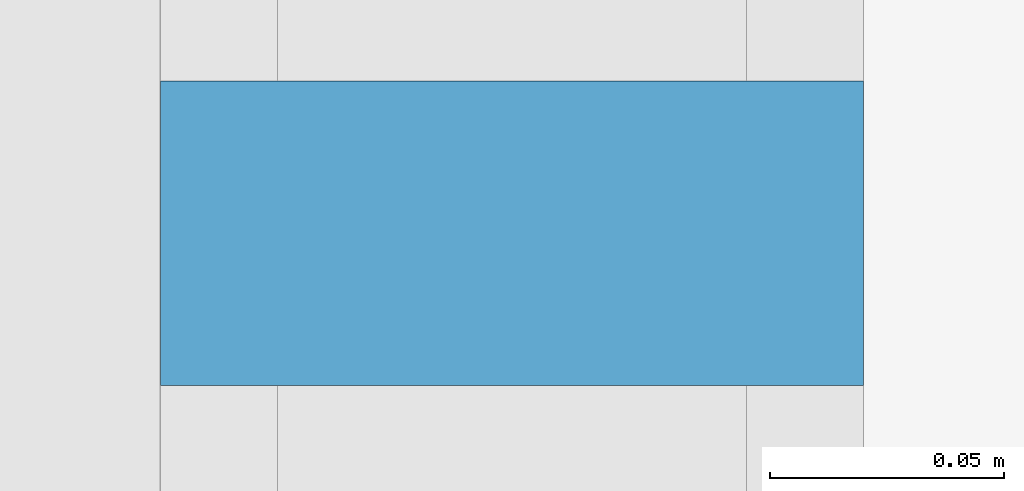
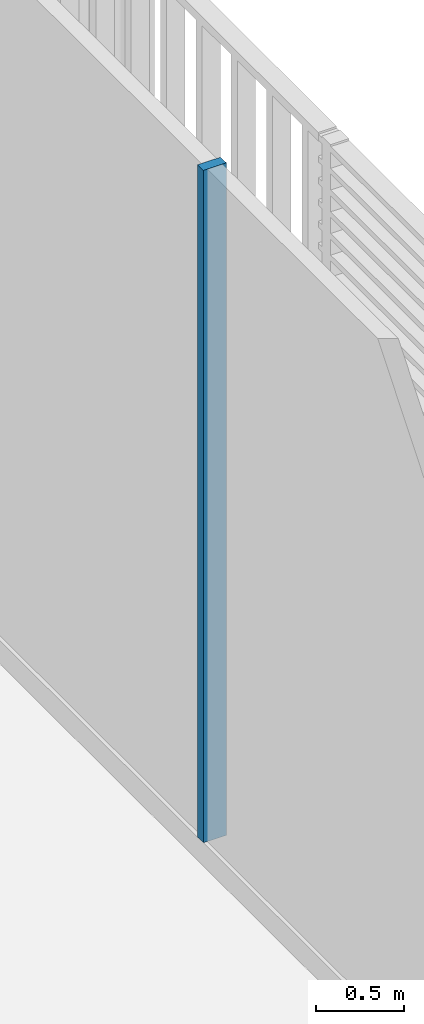
# One storey, part 11 of 22: 1 member, 1 element without a shape of its own.
"""IFC4 building model written with IfcOpenShell, lengths in metres."""

from ifc_helpers import new_model, si_unit, direction, frame, origin, origin_2d, place, context, subcontext, project, spatial, rectangle, extrude, material, layer, layer_set, material_profile, profile_set, type_object, element, aggregate, save


model = new_model("IFC4")

# Units and contexts
model_context = context("Model", 3, precision=1e-05, world=origin(), true_north=direction((0.0, 1.0)))
body_context = subcontext(model_context, "Body", "Model", "MODEL_VIEW")
ifc_project = project(units=[si_unit("LENGTHUNIT", "METRE"), si_unit("AREAUNIT", "SQUARE_METRE"), si_unit("VOLUMEUNIT", "CUBIC_METRE"), si_unit("PLANEANGLEUNIT", "RADIAN"), si_unit("MASSUNIT", "GRAM", prefix="KILO")], contexts=[model_context])

# Site, building, storey
site_placement = place(None, origin())
site = spatial("IfcSite", under=ifc_project, at=site_placement, CompositionType="ELEMENT")
building_placement = place(site_placement, origin())
building = spatial("IfcBuilding", under=site, at=building_placement, Name="Millrace Tower", CompositionType="ELEMENT")
storey_placement = place(building_placement, frame((0.0, 0.0, 20.89990234375)))
storey = spatial("IfcBuildingStorey", under=building, at=storey_placement, Name="L05", CompositionType="ELEMENT", Elevation=20.89990234375)

# Curtain wall, member
ifc_material_1 = material(Name="Aluminium and glass", Category="aluminium")
ifc_layer = layer(ifc_material_1, 0.14990234375)
ifc_layer_set = layer_set([ifc_layer], Name="Aluminium and glass")
curtain_wall_type = type_object("IfcCurtainWallType", Name="CW-2 data hall insulated curtain wall", PredefinedType="NOTDEFINED", material=ifc_layer_set)
curtain_wall_placement = place(storey_placement, origin())
curtain_wall = element("IfcCurtainWall", 1, at=curtain_wall_placement, inside=storey, type_object=curtain_wall_type, Name="Curtain wall A-F04 L05", PredefinedType="NOTDEFINED")
ifc_material_2 = material(Name="Aluminium", Category="aluminium")
ifc_material_profile = material_profile(ifc_material_2, rectangle(XDim=0.06494140625, YDim=0.14990234375, at=origin_2d()))
ifc_profile_set = profile_set([ifc_material_profile], Name="Aluminium")
member_type = type_object("IfcMemberType", Name="CW-2 data hall insulated curtain wall mullion", PredefinedType="MULLION", material=ifc_profile_set)
member_placement = place(storey_placement, frame((25.074951171875, 2.382568359375, 0.16015625), z_axis=(0.0, 0.0, 1.0), x_axis=(0.0, 1.0, 0.0)))
member = element("IfcMember", 2, at=member_placement, type_object=member_type, Name="CW2 mullion A-F04.6", PredefinedType="MULLION", context=body_context, shape_type="SweptSolid", body=[
    extrude(rectangle(XDim=0.06494140625, YDim=0.14990234375, at=origin_2d()), origin(), (0.0, 0.0, 1.0), 4.639892578125),
])
aggregate(curtain_wall, [member])

save(model, "model.ifc")
